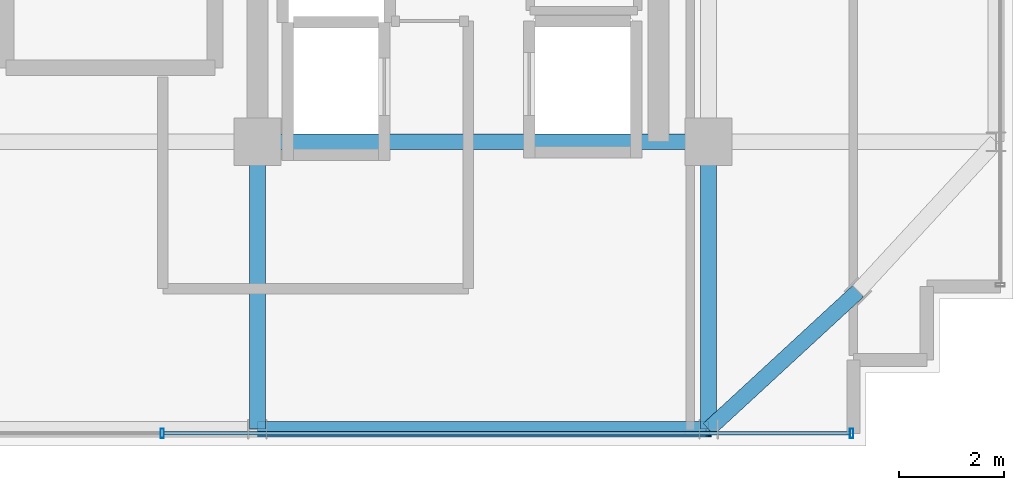
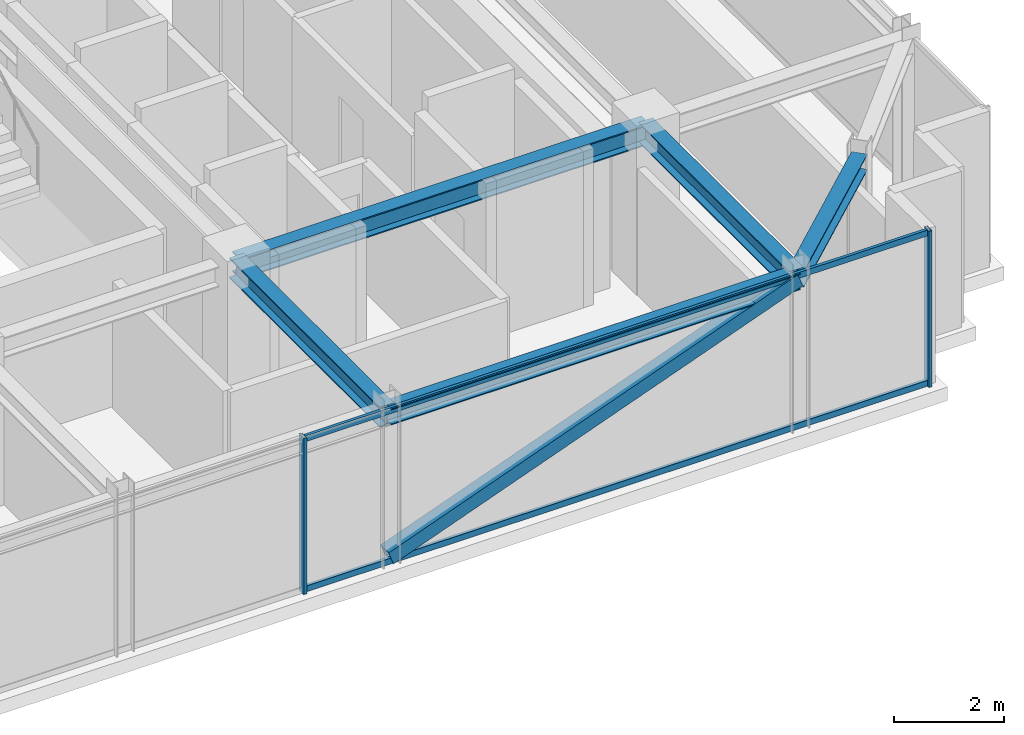
# One storey, part 12 of 34: 5 beams, 5 members, 1 element without a shape of its own.
"""IFC4 building model written with IfcOpenShell, lengths in metres."""

import ifcopenshell
import ifcopenshell.guid

model = None  # the IFC model being written
_history = None  # IfcOwnerHistory: only IFC2X3 demands one
_inside = {}  # id of a spatial element -> (the spatial element, [elements in it])
_under = {}  # id of a project, library or spatial element -> (it, [spatial elements below it])
_declared = {}  # id of a project -> (the project, [libraries it declares])
_typed = {}  # id of a type object -> (the type object, [elements of that type])
_made_of = {}  # id of a material, layer set ... -> (it, [elements and type objects made of it])


def new_model(schema):
    """Start an empty IFC model of exactly this schema.

    Asked for "IFC4X3", IfcOpenShell would pick the latest addendum, in which some entities
    have other attributes; the version numbers below select the first issue.
    IFC2X3 requires an IfcOwnerHistory on every rooted entity: one is made here for all.
    """
    global model, _history
    if schema == "IFC4X3":
        model = ifcopenshell.file(schema_version=(4, 3, 0, 0))
    else:
        model = ifcopenshell.file(schema=schema)
    _inside.clear()
    _under.clear()
    _declared.clear()
    _typed.clear()
    _made_of.clear()
    _history = None
    if model.schema == "IFC2X3":
        org = make("IfcOrganization", Name="unknown")
        user = make(
            "IfcPersonAndOrganization",
            ThePerson=make("IfcPerson", FamilyName="unknown"),
            TheOrganization=org,
        )
        app = make(
            "IfcApplication",
            ApplicationDeveloper=org,
            Version="unknown",
            ApplicationFullName="unknown",
            ApplicationIdentifier="unknown",
        )
        _history = make(
            "IfcOwnerHistory",
            OwningUser=user,
            OwningApplication=app,
            ChangeAction="ADDED",
            CreationDate=0,
        )
    return model


def make(cls, **values):
    """One entity of the class cls with the attributes given. An attribute that is None is left unset."""
    return model.create_entity(
        cls, **{name: value for name, value in values.items() if value is not None}
    )


def rooted(cls, **values):
    """An entity with a GlobalId (a new one), such as an element, a storey or a relation."""
    return make(cls, GlobalId=ifcopenshell.guid.new(), OwnerHistory=_history, **values)


def si_unit(unit_type, name, prefix=None):
    """IfcSIUnit, for example si_unit("LENGTHUNIT", "METRE", prefix="MILLI")."""
    return make("IfcSIUnit", UnitType=unit_type, Prefix=prefix, Name=name)


def assignment(units):
    """IfcUnitAssignment: the units of a project."""
    return None if units is None else make("IfcUnitAssignment", Units=units)


def point(xyz):
    """IfcCartesianPoint."""
    return None if xyz is None else make("IfcCartesianPoint", Coordinates=xyz)


def direction(xyz):
    """IfcDirection."""
    return None if xyz is None else make("IfcDirection", DirectionRatios=xyz)


def frame(location, z_axis=None, x_axis=None):
    """IfcAxis2Placement3D, a coordinate frame: its origin and axes. An axis left out is left unset."""
    return make(
        "IfcAxis2Placement3D",
        Location=point(location),
        Axis=direction(z_axis),
        RefDirection=direction(x_axis),
    )


def frame_2d(location, x_axis=None):
    """IfcAxis2Placement2D, a coordinate frame in the plane: its origin and x axis."""
    return make(
        "IfcAxis2Placement2D", Location=point(location), RefDirection=direction(x_axis)
    )


def origin():
    """The frame at (0, 0, 0) with its axes left unset."""
    return frame((0.0, 0.0, 0.0))


def origin_2d():
    """The frame at (0, 0) in the plane with its x axis left unset."""
    return frame_2d((0.0, 0.0))


def place(relative_to, where):
    """IfcLocalPlacement: puts the frame where relative to a parent placement (None: the world)."""
    return make(
        "IfcLocalPlacement", PlacementRelTo=relative_to, RelativePlacement=where
    )


def context(
    kind, dimensions, precision=None, world=None, true_north=None, identifier=None
):
    """IfcGeometricRepresentationContext, for example the 3D "Model" context."""
    return make(
        "IfcGeometricRepresentationContext",
        ContextIdentifier=identifier,
        ContextType=kind,
        CoordinateSpaceDimension=dimensions,
        Precision=precision,
        WorldCoordinateSystem=world,
        TrueNorth=true_north,
    )


def subcontext(parent, identifier, kind, view, scale=None):
    """IfcGeometricRepresentationSubContext, for example "Body" below "Model"."""
    return make(
        "IfcGeometricRepresentationSubContext",
        ContextIdentifier=identifier,
        ContextType=kind,
        ParentContext=parent,
        TargetScale=scale,
        TargetView=view,
    )


def project(units=None, contexts=None):
    """IfcProject with its units and contexts."""
    return rooted(
        "IfcProject",
        Name="project",
        RepresentationContexts=contexts,
        UnitsInContext=assignment(units),
    )


def spatial(cls, under=None, at=None, **own):
    """A site, building, storey or space (cls), placed at a placement, below another one or the project."""
    s = rooted(cls, ObjectPlacement=at, **own)
    if under is not None:
        _under.setdefault(under.id(), (under, []))[1].append(s)
    return s


def profile(cls, at=None, kind="AREA", **sizes):
    """A parametric profile (cls). Its sizes go by their IFC names, for example OverallWidth=200.0."""
    return make(cls, ProfileType=kind, Position=at, **sizes)


def hollow_rectangle(**sizes):
    """IfcRectangleHollowProfileDef."""
    return profile("IfcRectangleHollowProfileDef", **sizes)


def i_section(**sizes):
    """IfcIShapeProfileDef."""
    return profile("IfcIShapeProfileDef", **sizes)


def extrude(swept, where, along, depth):
    """IfcExtrudedAreaSolid: the profile swept, set in the frame where, extruded along a direction by depth."""
    return make(
        "IfcExtrudedAreaSolid",
        SweptArea=swept,
        Position=where,
        ExtrudedDirection=direction(along),
        Depth=depth,
    )


def shape(context_of_items, identifier, shape_type, items):
    """IfcShapeRepresentation: the items that make up one representation, for example the "Body"."""
    return make(
        "IfcShapeRepresentation",
        ContextOfItems=context_of_items,
        RepresentationIdentifier=identifier,
        RepresentationType=shape_type,
        Items=items,
    )


def source(mapping_origin, context_of_items, identifier, shape_type, items):
    """IfcRepresentationMap: a shape defined once, which mapped items show again and again."""
    return make(
        "IfcRepresentationMap",
        MappingOrigin=mapping_origin,
        MappedRepresentation=shape(context_of_items, identifier, shape_type, items),
    )


def transform(
    local_origin,
    x_axis=None,
    y_axis=None,
    z_axis=None,
    scale=None,
    scale2=None,
    scale3=None,
    uniform=True,
):
    """IfcCartesianTransformationOperator3D, or its non-uniform kind. x_axis, y_axis, z_axis: its Axis1, 2, 3."""
    if uniform:
        return make(
            "IfcCartesianTransformationOperator3D",
            Axis1=direction(x_axis),
            Axis2=direction(y_axis),
            LocalOrigin=point(local_origin),
            Scale=scale,
            Axis3=direction(z_axis),
        )
    return make(
        "IfcCartesianTransformationOperator3DnonUniform",
        Axis1=direction(x_axis),
        Axis2=direction(y_axis),
        LocalOrigin=point(local_origin),
        Scale=scale,
        Axis3=direction(z_axis),
        Scale2=scale2,
        Scale3=scale3,
    )


def mapped(mapping_source, mapping_target):
    """IfcMappedItem: shows the shape of a source again, moved by a transform."""
    return make(
        "IfcMappedItem", MappingSource=mapping_source, MappingTarget=mapping_target
    )


def material(Name=None, Category=None):
    """IfcMaterial."""
    return make("IfcMaterial", Name=Name, Category=Category)


def material_profile(
    of_material, cross_section, Name=None, Category=None, Priority=None
):
    """IfcMaterialProfile: a cross section and its material."""
    return make(
        "IfcMaterialProfile",
        Name=Name,
        Material=of_material,
        Profile=cross_section,
        Priority=Priority,
        Category=Category,
    )


def profile_set(profiles, Name=None, composite=None):
    """IfcMaterialProfileSet."""
    return make(
        "IfcMaterialProfileSet",
        Name=Name,
        MaterialProfiles=profiles,
        CompositeProfile=composite,
    )


def made_of(thing, what):
    """Note that an element or type object is made of a material, layer set ...; save() writes the relation."""
    if what is not None:
        _made_of.setdefault(what.id(), (what, []))[1].append(thing)
    return thing


def type_object(cls, material=None, **own):
    """A type object (cls), such as IfcWallType, which elements share."""
    return made_of(rooted(cls, **own), material)


def element(
    cls,
    number,
    at=None,
    inside=None,
    cuts=None,
    type_object=None,
    material=None,
    context=None,
    identifier="Body",
    shape_type=None,
    held_by="IfcProductDefinitionShape",
    body=None,
    shapes=None,
    **own,
):
    """One element of the class cls, such as IfcWall. Its Tag is "e" and its number.

    at: its placement. inside: the storey or other place that contains it. cuts: it is an
    opening in that element (IfcRelVoidsElement). A single representation is given by context,
    identifier, shape_type and body (its items); several are given by shapes. held_by: the class
    of the entity that holds the representations. save() writes the other relations.
    """
    e = rooted(cls, Tag="e%d" % number, ObjectPlacement=at, **own)
    if body is not None:
        shapes = [shape(context, identifier, shape_type, body)]
    if shapes is not None:
        e.Representation = make(held_by, Representations=shapes)
    if inside is not None:
        _inside.setdefault(inside.id(), (inside, []))[1].append(e)
    if cuts is not None:
        rooted(
            "IfcRelVoidsElement", RelatingBuildingElement=cuts, RelatedOpeningElement=e
        )
    if type_object is not None:
        _typed.setdefault(type_object.id(), (type_object, []))[1].append(e)
    return made_of(e, material)


def aggregate(whole, parts):
    """IfcRelAggregates: a whole, such as a stair, and the parts it consists of."""
    return rooted("IfcRelAggregates", RelatingObject=whole, RelatedObjects=parts)


def save(model, path):
    """Write the relations noted so far, then the file.

    IfcRelAggregates (storeys below a building ...), IfcRelContainedInSpatialStructure (elements
    in a storey), IfcRelDefinesByType, IfcRelAssociatesMaterial and IfcRelDeclares: one each for
    every whole, place, type object, material and project.
    """
    for whole, parts in _under.values():
        aggregate(whole, parts)
    for where, things in _inside.values():
        rooted(
            "IfcRelContainedInSpatialStructure",
            RelatedElements=things,
            RelatingStructure=where,
        )
    for kind, things in _typed.values():
        rooted("IfcRelDefinesByType", RelatedObjects=things, RelatingType=kind)
    for what, things in _made_of.values():
        rooted("IfcRelAssociatesMaterial", RelatedObjects=things, RelatingMaterial=what)
    for by, libraries in _declared.values():
        rooted("IfcRelDeclares", RelatingContext=by, RelatedDefinitions=libraries)
    model.write(path)


model = new_model("IFC4")

# Units and contexts
model_context = context("Model", 3, precision=1e-05, world=origin(), true_north=direction((0.0, 1.0)))
body_context = subcontext(model_context, "Body", "Model", "MODEL_VIEW")
ifc_project = project(units=[si_unit("LENGTHUNIT", "METRE"), si_unit("AREAUNIT", "SQUARE_METRE"), si_unit("VOLUMEUNIT", "CUBIC_METRE"), si_unit("PLANEANGLEUNIT", "RADIAN"), si_unit("MASSUNIT", "GRAM", prefix="KILO")], contexts=[model_context])

# Site, building, storey
site_placement = place(None, origin())
site = spatial("IfcSite", under=ifc_project, at=site_placement, CompositionType="ELEMENT")
building_placement = place(site_placement, origin())
building = spatial("IfcBuilding", under=site, at=building_placement, Name="Nahalor Promenade Grand Hotel", CompositionType="ELEMENT")
storey_placement = place(building_placement, frame((0.0, 0.0, 334.75)))
storey = spatial("IfcBuildingStorey", under=building, at=storey_placement, Name="L86", CompositionType="ELEMENT", Elevation=334.75)

# Beams
ifc_material_1 = material(Name="Steel S355JR", Category="steel")
ifc_material_profile_1 = material_profile(ifc_material_1, i_section(OverallWidth=0.3, OverallDepth=0.45, WebThickness=0.014, FlangeThickness=0.026, at=origin_2d()), Name="HEB 450")
ifc_profile_set_1 = profile_set([ifc_material_profile_1], Name="Steel S355JR")
beam_type_1 = type_object("IfcBeamType", Name="Beam-Girder-HEB450", PredefinedType="BEAM", material=ifc_profile_set_1)
shared_shape_1 = source(origin(), body_context, "Body", "SweptSolid", [
    extrude(i_section(OverallWidth=0.3, OverallDepth=0.45, WebThickness=0.014, FlangeThickness=0.026, at=origin_2d()), origin(), (0.0, 0.0, 1.0), 8.60009765625),
])
beam_1_placement = place(storey_placement, frame((8.39990234375, -17.0, 3.2451171875), z_axis=(1.0, 0.0, 0.0), x_axis=(0.0, 1.0, 0.0)))
element("IfcBeam", 1, at=beam_1_placement, inside=storey, type_object=beam_type_1, Name="BM-L86-GX-0-5", PredefinedType="BEAM", context=body_context, shape_type="MappedRepresentation", body=[
    mapped(shared_shape_1, transform((0.0, 0.0, 0.0), scale=1.0)),
])
shared_shape_2 = source(origin(), body_context, "Body", "SweptSolid", [
    extrude(i_section(OverallWidth=0.3, OverallDepth=0.45, WebThickness=0.014, FlangeThickness=0.026, at=origin_2d()), origin(), (0.0, 0.0, 1.0), 5.47998046875),
])
for number, where, z_axis, x_axis, name in (
    (2, (8.39990234375, -22.47998046875, 3.2451171875), (0.0, 1.0, 0.0), (-1.0, 0.0, 0.0), "BM-L86-GY-4-0"),
    (3, (17.0, -22.47998046875, 3.2451171875), (0.0, 1.0, 0.0), (-1.0, 0.0, 0.0), "BM-L86-GY-5-0"),
):
    element("IfcBeam", number, at=place(storey_placement, frame(where, z_axis=z_axis, x_axis=x_axis)), inside=storey, type_object=beam_type_1, Name=name, PredefinedType="BEAM", context=body_context, shape_type="MappedRepresentation", body=[
        mapped(shared_shape_2, transform((0.0, 0.0, 0.0), scale=1.0)),
    ])
ifc_material_profile_2 = material_profile(ifc_material_1, i_section(OverallWidth=0.3, OverallDepth=0.36, WebThickness=0.0125, FlangeThickness=0.0225, at=origin_2d()), Name="HEB 360")
ifc_profile_set_2 = profile_set([ifc_material_profile_2], Name="Steel S355JR")
beam_type_2 = type_object("IfcBeamType", Name="Beam-Spandrel-HEB360", PredefinedType="SPANDREL", material=ifc_profile_set_2)
shared_shape_3 = source(origin(), body_context, "Body", "SweptSolid", [
    extrude(i_section(OverallWidth=0.3, OverallDepth=0.36, WebThickness=0.0125, FlangeThickness=0.0225, at=origin_2d()), origin(), (0.0, 0.0, 1.0), 8.60009765625),
])
beam_2_placement = place(storey_placement, frame((8.39990234375, -22.47998046875, 3.2900390625), z_axis=(1.0, 0.0, 0.0), x_axis=(0.0, 1.0, 0.0)))
element("IfcBeam", 4, at=beam_2_placement, inside=storey, type_object=beam_type_2, Name="BM-L86-SP-S-4", PredefinedType="SPANDREL", context=body_context, shape_type="MappedRepresentation", body=[
    mapped(shared_shape_3, transform((0.0, 0.0, 0.0), scale=1.0)),
])
shared_shape_4 = source(origin(), body_context, "Body", "SweptSolid", [
    extrude(i_section(OverallWidth=0.3, OverallDepth=0.36, WebThickness=0.0125, FlangeThickness=0.0225, at=origin_2d()), origin(), (0.0, 0.0, 1.0), 3.878173828125),
])
beam_3_placement = place(storey_placement, frame((17.0, -22.47998046875, 3.2900390625), z_axis=(0.73492893846, 0.678144125843, 0.0), x_axis=(-0.678144125843, 0.73492893846, 0.0)))
element("IfcBeam", 5, at=beam_3_placement, inside=storey, type_object=beam_type_2, Name="BM-L86-SPC-SE-1", PredefinedType="SPANDREL", context=body_context, shape_type="MappedRepresentation", body=[
    mapped(shared_shape_4, transform((0.0, 0.0, 0.0), scale=1.0)),
])

# Member
ifc_material_profile_3 = material_profile(ifc_material_1, hollow_rectangle(XDim=0.3, YDim=0.3, WallThickness=0.016, at=origin_2d()), Name="SHS 300x300x16")
ifc_profile_set_3 = profile_set([ifc_material_profile_3], Name="Steel S355JR")
member_type_1 = type_object("IfcMemberType", Name="Mem-CrownBrace-SHS300", PredefinedType="BRACE", material=ifc_profile_set_3)
shared_shape_5 = source(origin(), body_context, "Body", "SweptSolid", [
    extrude(hollow_rectangle(XDim=0.3, YDim=0.3, WallThickness=0.016, at=origin_2d()), origin(), (0.0, 0.0, 1.0), 9.165771484375),
])
member_1_placement = place(storey_placement, frame((8.39990234375, -22.47998046875, 0.14990234375), z_axis=(0.93828261906, 0.0, 0.345869522753), x_axis=(0.0, 1.0, 0.0)))
element("IfcMember", 6, at=member_1_placement, inside=storey, type_object=member_type_1, Name="EXO-L86-S-1", PredefinedType="BRACE", context=body_context, shape_type="MappedRepresentation", body=[
    mapped(shared_shape_5, transform((0.0, 0.0, 0.0), scale=1.0)),
])

# Curtain wall, members
ifc_material_2 = material(Name="Anodised Bronze Aluminium EN AW-6063 T6", Category="aluminium")
curtain_wall_type = type_object("IfcCurtainWallType", Name="CW2 Typical Hotel Flush Bronze Unitised Curtain Wall", PredefinedType="USERDEFINED", material=ifc_material_2)
curtain_wall_placement = place(storey_placement, origin())
curtain_wall = element("IfcCurtainWall", 7, at=curtain_wall_placement, inside=storey, type_object=curtain_wall_type, Name="L86 Curtain Wall CW-L86-S-1", ObjectType="UNITISED_CURTAIN_WALL", PredefinedType="USERDEFINED")
ifc_material_profile_4 = material_profile(ifc_material_2, hollow_rectangle(XDim=0.065, YDim=0.13, WallThickness=0.004, at=origin_2d()), Name="CWT 65x130x4")
ifc_profile_set_4 = profile_set([ifc_material_profile_4], Name="Anodised Bronze Aluminium EN AW-6063 T6")
member_type_2 = type_object("IfcMemberType", Name="CWT2 Typical Bronze Transom 65x130", PredefinedType="USERDEFINED", material=ifc_profile_set_4)
shared_shape_6 = source(origin(), body_context, "Body", "SweptSolid", [
    extrude(hollow_rectangle(XDim=0.065, YDim=0.13, WallThickness=0.004, at=origin_2d()), origin(), (0.0, 0.0, 1.0), 13.075927734375),
])
member_2_placement = place(storey_placement, frame((6.619140625, -22.56005859375, 0.06494140625), z_axis=(1.0, 0.0, 0.0), x_axis=(0.0, 1.0, 0.0)))
member_2 = element("IfcMember", 8, at=member_2_placement, type_object=member_type_2, Name="CW-L86-S-1 Transom 2-0", ObjectType="TRANSOM", PredefinedType="USERDEFINED", context=body_context, shape_type="MappedRepresentation", body=[
    mapped(shared_shape_6, transform((0.0, 0.0, 0.0), scale=1.0)),
])
member_3_placement = place(storey_placement, frame((6.619140625, -22.56005859375, 3.405029296875), z_axis=(1.0, 0.0, 0.0), x_axis=(0.0, 1.0, 0.0)))
member_3 = element("IfcMember", 9, at=member_3_placement, type_object=member_type_2, Name="CW-L86-S-1 Transom 2-1", ObjectType="TRANSOM", PredefinedType="USERDEFINED", context=body_context, shape_type="MappedRepresentation", body=[
    mapped(shared_shape_6, transform((0.0, 0.0, 0.0), scale=1.0)),
])
ifc_material_profile_5 = material_profile(ifc_material_2, hollow_rectangle(XDim=0.065, YDim=0.18, WallThickness=0.004, at=origin_2d()), Name="CWM 65x180x4")
ifc_profile_set_5 = profile_set([ifc_material_profile_5], Name="Anodised Bronze Aluminium EN AW-6063 T6")
member_type_3 = type_object("IfcMemberType", Name="CWM2 Typical Bronze Mullion 65x180", PredefinedType="MULLION", material=ifc_profile_set_5)
shared_shape_7 = source(origin(), body_context, "Body", "SweptSolid", [
    extrude(hollow_rectangle(XDim=0.065, YDim=0.18, WallThickness=0.004, at=origin_2d()), origin(), (0.0, 0.0, 1.0), 3.469970703125),
])
member_4_placement = place(storey_placement, frame((6.586669921875, -22.56005859375, 0.0), z_axis=(0.0, 0.0, 1.0), x_axis=(1.0, 0.0, 0.0)))
member_4 = element("IfcMember", 10, at=member_4_placement, type_object=member_type_3, Name="CW-L86-S-1 Mullion 2", PredefinedType="MULLION", context=body_context, shape_type="MappedRepresentation", body=[
    mapped(shared_shape_7, transform((0.0, 0.0, 0.0), scale=1.0)),
])
member_5_placement = place(storey_placement, frame((19.7275390625, -22.56005859375, 0.0), z_axis=(0.0, 0.0, 1.0), x_axis=(1.0, 0.0, 0.0)))
member_5 = element("IfcMember", 11, at=member_5_placement, type_object=member_type_3, Name="CW-L86-S-1 Mullion 3", PredefinedType="MULLION", context=body_context, shape_type="MappedRepresentation", body=[
    mapped(shared_shape_7, transform((0.0, 0.0, 0.0), scale=1.0)),
])
aggregate(curtain_wall, [member_4, member_5, member_2, member_3])

save(model, "model.ifc")
